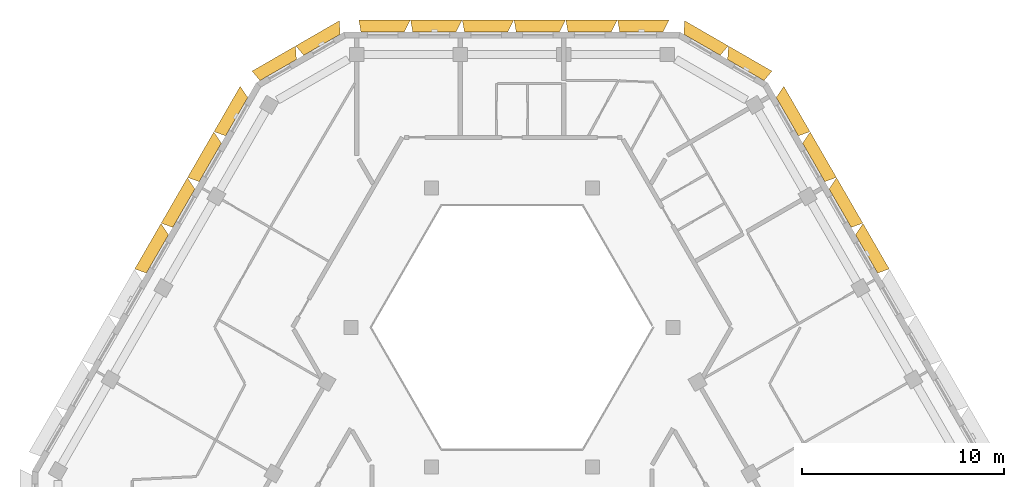
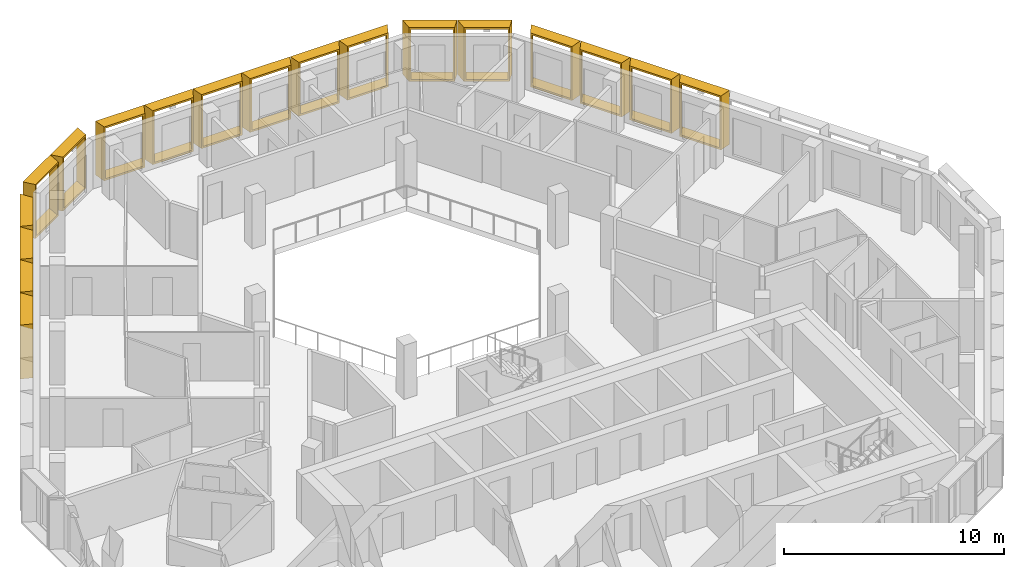
# One storey, part 16 of 16: 18 shading devices.
"""IFC4 building model written with IfcOpenShell, lengths in metres."""

from ifc_helpers import new_model, entity, si_unit, direction, frame, origin, place, context, subcontext, project, spatial, source, transform, mapped, material, type_object, type_shapes, element, save


model = new_model("IFC4")

# Units and contexts
model_context = context("Model", 3, precision=1e-05, world=origin(), true_north=direction((0.0, 1.0)))
body_context = subcontext(model_context, "Body", "Model", "MODEL_VIEW")
ifc_project = project(units=[si_unit("LENGTHUNIT", "METRE"), si_unit("AREAUNIT", "SQUARE_METRE"), si_unit("VOLUMEUNIT", "CUBIC_METRE"), si_unit("PLANEANGLEUNIT", "RADIAN"), si_unit("MASSUNIT", "GRAM", prefix="KILO")], contexts=[model_context])

# Site, building, storey
site_placement = place(None, origin())
site = spatial("IfcSite", under=ifc_project, at=site_placement, CompositionType="ELEMENT")
building_placement = place(site_placement, origin())
building = spatial("IfcBuilding", under=site, at=building_placement, Name="Beryl Residences", CompositionType="ELEMENT")
storey_placement = place(building_placement, frame((0.0, 0.0, 220.800048828125)))
storey = spatial("IfcBuildingStorey", under=building, at=storey_placement, Name="L68", CompositionType="ELEMENT", Elevation=220.800048828125)

# Shading devices
ifc_material_1 = material(Name="Aluminium pale anodised", Category="aluminium")
shading_device_type_1 = type_object("IfcShadingDeviceType", Name="FR250-60B OUTER SKIN frame 600 mm deep, splay 26/10 deg, 2500 x 3000 mm cell", PredefinedType="USERDEFINED", material=ifc_material_1)
cartesian_point_1 = entity("IfcCartesianPoint", [-1.04052734375, 0.0])
cartesian_point_2 = entity("IfcCartesianPoint", [-0.951416015625, 0.10009765625])
cartesian_point_3 = entity("IfcCartesianPoint", [-1.333251953125, 0.0])
cartesian_point_4 = entity("IfcCartesianPoint", [-1.244140625, 0.10009765625])
shared_shape_1 = source(origin(), body_context, "Body", "SweptSolid", [
    entity("IfcExtrudedAreaSolidTapered", entity("IfcArbitraryProfileDefWithVoids", "AREA", None, entity("IfcPolyline", [cartesian_point_1, entity("IfcCartesianPoint", [1.04052734375, 0.0]), entity("IfcCartesianPoint", [1.04052734375, 3.0]), entity("IfcCartesianPoint", [-1.04052734375, 3.0]), cartesian_point_1]), [entity("IfcPolyline", [cartesian_point_2, entity("IfcCartesianPoint", [0.959228515625, 0.10009765625]), entity("IfcCartesianPoint", [0.959228515625, 2.89990234375]), entity("IfcCartesianPoint", [-0.951416015625, 2.89990234375]), cartesian_point_2])]), entity("IfcAxis2Placement3D", entity("IfcCartesianPoint", [0.0, 0.0, 0.0]), entity("IfcDirection", [0.0, 1.0, 0.0]), entity("IfcDirection", [-1.0, 0.0, 0.0])), entity("IfcDirection", [0.0, 0.0, 1.0]), 0.60009765625, entity("IfcArbitraryProfileDefWithVoids", "AREA", None, entity("IfcPolyline", [cartesian_point_3, entity("IfcCartesianPoint", [1.146240234375, 0.0]), entity("IfcCartesianPoint", [1.146240234375, 3.0]), entity("IfcCartesianPoint", [-1.333251953125, 3.0]), cartesian_point_3]), [entity("IfcPolyline", [cartesian_point_4, entity("IfcCartesianPoint", [1.06494140625, 0.10009765625]), entity("IfcCartesianPoint", [1.06494140625, 2.89990234375]), entity("IfcCartesianPoint", [-1.244140625, 2.89990234375]), cartesian_point_4])])),
])
type_shapes(shading_device_type_1, [shared_shape_1])
for number, where, z_axis, x_axis, name in (
    (1, (-9.39599609375, 21.97509765625, 0.0), (0.0, 0.0, 1.0), (0.866025403784, 0.5, 0.0), "FR250-60B frame L68 N-NW 1"),
    (2, (-11.56103515625, 20.72509765625, 0.0), (0.0, 0.0, 1.0), (0.866025403784, 0.5, 0.0), "FR250-60B frame L68 N-NW 2"),
):
    element("IfcShadingDevice", number, at=place(storey_placement, frame(where, z_axis=z_axis, x_axis=x_axis)), inside=storey, type_object=shading_device_type_1, Name=name, ObjectType="OUTER SKIN", PredefinedType="USERDEFINED", context=body_context, shape_type="MappedRepresentation", body=[
        mapped(shared_shape_1, transform((0.0, 0.0, 0.0))),
    ])
ifc_material_2 = material(Name="Aluminium pale anodised", Category="aluminium")
shading_device_type_2 = type_object("IfcShadingDeviceType", Name="FR250-60C OUTER SKIN frame 600 mm deep, splay 10/26 deg, 2500 x 3000 mm cell", PredefinedType="USERDEFINED", material=ifc_material_2)
cartesian_point_5 = entity("IfcCartesianPoint", [-1.04052734375, 0.0])
cartesian_point_6 = entity("IfcCartesianPoint", [-0.959228515625, 0.10009765625])
cartesian_point_7 = entity("IfcCartesianPoint", [-1.146240234375, 0.0])
cartesian_point_8 = entity("IfcCartesianPoint", [-1.06494140625, 0.10009765625])
shared_shape_2 = source(origin(), body_context, "Body", "SweptSolid", [
    entity("IfcExtrudedAreaSolidTapered", entity("IfcArbitraryProfileDefWithVoids", "AREA", None, entity("IfcPolyline", [cartesian_point_5, entity("IfcCartesianPoint", [1.04052734375, 0.0]), entity("IfcCartesianPoint", [1.04052734375, 3.0]), entity("IfcCartesianPoint", [-1.04052734375, 3.0]), cartesian_point_5]), [entity("IfcPolyline", [cartesian_point_6, entity("IfcCartesianPoint", [0.951416015625, 0.10009765625]), entity("IfcCartesianPoint", [0.951416015625, 2.89990234375]), entity("IfcCartesianPoint", [-0.959228515625, 2.89990234375]), cartesian_point_6])]), entity("IfcAxis2Placement3D", entity("IfcCartesianPoint", [0.0, 0.0, 0.0]), entity("IfcDirection", [0.0, 1.0, 0.0]), entity("IfcDirection", [-1.0, 0.0, 0.0])), entity("IfcDirection", [0.0, 0.0, 1.0]), 0.60009765625, entity("IfcArbitraryProfileDefWithVoids", "AREA", None, entity("IfcPolyline", [cartesian_point_7, entity("IfcCartesianPoint", [1.333251953125, 0.0]), entity("IfcCartesianPoint", [1.333251953125, 3.0]), entity("IfcCartesianPoint", [-1.146240234375, 3.0]), cartesian_point_7]), [entity("IfcPolyline", [cartesian_point_8, entity("IfcCartesianPoint", [1.244140625, 0.10009765625]), entity("IfcCartesianPoint", [1.244140625, 2.89990234375]), entity("IfcCartesianPoint", [-1.06494140625, 2.89990234375]), cartesian_point_8])])),
])
type_shapes(shading_device_type_2, [shared_shape_2])
for number, where, z_axis, x_axis, name in (
    (3, (11.56103515625, 20.72509765625, 0.0), (0.0, 0.0, 1.0), (0.866025403784, -0.5, 0.0), "FR250-60C frame L68 NE-N 1"),
    (4, (9.39599609375, 21.97509765625, 0.0), (0.0, 0.0, 1.0), (0.866025403784, -0.5, 0.0), "FR250-60C frame L68 NE-N 2"),
):
    element("IfcShadingDevice", number, at=place(storey_placement, frame(where, z_axis=z_axis, x_axis=x_axis)), inside=storey, type_object=shading_device_type_2, Name=name, ObjectType="OUTER SKIN", PredefinedType="USERDEFINED", context=body_context, shape_type="MappedRepresentation", body=[
        mapped(shared_shape_2, transform((0.0, 0.0, 0.0))),
    ])
ifc_material_3 = material(Name="Aluminium pale anodised", Category="aluminium")
shading_device_type_3 = type_object("IfcShadingDeviceType", Name="FR256-60B OUTER SKIN frame 600 mm deep, splay 26/10 deg, 2560 x 3000 mm cell", PredefinedType="USERDEFINED", material=ifc_material_3)
cartesian_point_9 = entity("IfcCartesianPoint", [-1.070556640625, 0.0])
cartesian_point_10 = entity("IfcCartesianPoint", [-0.9814453125, 0.10009765625])
cartesian_point_11 = entity("IfcCartesianPoint", [-1.363037109375, 0.0])
cartesian_point_12 = entity("IfcCartesianPoint", [-1.274169921875, 0.10009765625])
shared_shape_3 = source(origin(), body_context, "Body", "SweptSolid", [
    entity("IfcExtrudedAreaSolidTapered", entity("IfcArbitraryProfileDefWithVoids", "AREA", None, entity("IfcPolyline", [cartesian_point_9, entity("IfcCartesianPoint", [1.070556640625, 0.0]), entity("IfcCartesianPoint", [1.070556640625, 3.0]), entity("IfcCartesianPoint", [-1.070556640625, 3.0]), cartesian_point_9]), [entity("IfcPolyline", [cartesian_point_10, entity("IfcCartesianPoint", [0.9892578125, 0.10009765625]), entity("IfcCartesianPoint", [0.9892578125, 2.89990234375]), entity("IfcCartesianPoint", [-0.9814453125, 2.89990234375]), cartesian_point_10])]), entity("IfcAxis2Placement3D", entity("IfcCartesianPoint", [0.0, 0.0, 0.0]), entity("IfcDirection", [0.0, 1.0, 0.0]), entity("IfcDirection", [-1.0, 0.0, 0.0])), entity("IfcDirection", [0.0, 0.0, 1.0]), 0.60009765625, entity("IfcArbitraryProfileDefWithVoids", "AREA", None, entity("IfcPolyline", [cartesian_point_11, entity("IfcCartesianPoint", [1.17626953125, 0.0]), entity("IfcCartesianPoint", [1.17626953125, 3.0]), entity("IfcCartesianPoint", [-1.363037109375, 3.0]), cartesian_point_11]), [entity("IfcPolyline", [cartesian_point_12, entity("IfcCartesianPoint", [1.094970703125, 0.10009765625]), entity("IfcCartesianPoint", [1.094970703125, 2.89990234375]), entity("IfcCartesianPoint", [-1.274169921875, 2.89990234375]), cartesian_point_12])])),
])
type_shapes(shading_device_type_3, [shared_shape_3])
for number, where, z_axis, x_axis, name in (
    (5, (6.39892578125, 22.60009765625, 0.0), (0.0, 0.0, 1.0), (1.0, 0.0, 0.0), "FR256-60B frame L68 N 1"),
    (6, (3.840087890625, 22.60009765625, 0.0), (0.0, 0.0, 1.0), (1.0, 0.0, 0.0), "FR256-60B frame L68 N 2"),
    (7, (1.280029296875, 22.60009765625, 0.0), (0.0, 0.0, 1.0), (1.0, 0.0, 0.0), "FR256-60B frame L68 N 3"),
    (8, (-1.279052734375, 22.60009765625, 0.0), (0.0, 0.0, 1.0), (1.0, 0.0, 0.0), "FR256-60B frame L68 N 4"),
    (9, (-3.839111328125, 22.60009765625, 0.0), (0.0, 0.0, 1.0), (1.0, 0.0, 0.0), "FR256-60B frame L68 N 5"),
    (10, (-6.39794921875, 22.60009765625, 0.0), (0.0, 0.0, 1.0), (1.0, 0.0, 0.0), "FR256-60B frame L68 N 6"),
):
    element("IfcShadingDevice", number, at=place(storey_placement, frame(where, z_axis=z_axis, x_axis=x_axis)), inside=storey, type_object=shading_device_type_3, Name=name, ObjectType="OUTER SKIN", PredefinedType="USERDEFINED", context=body_context, shape_type="MappedRepresentation", body=[
        mapped(shared_shape_3, transform((0.0, 0.0, 0.0))),
    ])
ifc_material_4 = material(Name="Aluminium pale anodised", Category="aluminium")
shading_device_type_4 = type_object("IfcShadingDeviceType", Name="FR261-60B OUTER SKIN frame 600 mm deep, splay 26/10 deg, 2610 x 3000 mm cell", PredefinedType="USERDEFINED", material=ifc_material_4)
cartesian_point_13 = entity("IfcCartesianPoint", [-1.095458984375, 0.0])
cartesian_point_14 = entity("IfcCartesianPoint", [-1.006591796875, 0.10009765625])
cartesian_point_15 = entity("IfcCartesianPoint", [-1.38818359375, 0.0])
cartesian_point_16 = entity("IfcCartesianPoint", [-1.299072265625, 0.10009765625])
shared_shape_4 = source(origin(), body_context, "Body", "SweptSolid", [
    entity("IfcExtrudedAreaSolidTapered", entity("IfcArbitraryProfileDefWithVoids", "AREA", None, entity("IfcPolyline", [cartesian_point_13, entity("IfcCartesianPoint", [1.095458984375, 0.0]), entity("IfcCartesianPoint", [1.095458984375, 3.0]), entity("IfcCartesianPoint", [-1.095458984375, 3.0]), cartesian_point_13]), [entity("IfcPolyline", [cartesian_point_14, entity("IfcCartesianPoint", [1.01416015625, 0.10009765625]), entity("IfcCartesianPoint", [1.01416015625, 2.89990234375]), entity("IfcCartesianPoint", [-1.006591796875, 2.89990234375]), cartesian_point_14])]), entity("IfcAxis2Placement3D", entity("IfcCartesianPoint", [0.0, 0.0, 0.0]), entity("IfcDirection", [0.0, 1.0, 0.0]), entity("IfcDirection", [-1.0, 0.0, 0.0])), entity("IfcDirection", [0.0, 0.0, 1.0]), 0.60009765625, entity("IfcArbitraryProfileDefWithVoids", "AREA", None, entity("IfcPolyline", [cartesian_point_15, entity("IfcCartesianPoint", [1.201416015625, 0.0]), entity("IfcCartesianPoint", [1.201416015625, 3.0]), entity("IfcCartesianPoint", [-1.38818359375, 3.0]), cartesian_point_15]), [entity("IfcPolyline", [cartesian_point_16, entity("IfcCartesianPoint", [1.1201171875, 0.10009765625]), entity("IfcCartesianPoint", [1.1201171875, 2.89990234375]), entity("IfcCartesianPoint", [-1.299072265625, 2.89990234375]), cartesian_point_16])])),
])
type_shapes(shading_device_type_4, [shared_shape_4])
for number, where, z_axis, x_axis, name in (
    (11, (-13.614013671875, 18.4189453125, 0.0), (0.0, 0.0, 1.0), (0.5, 0.866025403784, 0.0), "FR261-60B frame L68 NW 1"),
    (12, (-14.9208984375, 16.156005859375, 0.0), (0.0, 0.0, 1.0), (0.5, 0.866025403784, 0.0), "FR261-60B frame L68 NW 2"),
    (13, (-16.22705078125, 13.89404296875, 0.0), (0.0, 0.0, 1.0), (0.5, 0.866025403784, 0.0), "FR261-60B frame L68 NW 3"),
    (14, (-17.532958984375, 11.631103515625, 0.0), (0.0, 0.0, 1.0), (0.5, 0.866025403784, 0.0), "FR261-60B frame L68 NW 4"),
):
    element("IfcShadingDevice", number, at=place(storey_placement, frame(where, z_axis=z_axis, x_axis=x_axis)), inside=storey, type_object=shading_device_type_4, Name=name, ObjectType="OUTER SKIN", PredefinedType="USERDEFINED", context=body_context, shape_type="MappedRepresentation", body=[
        mapped(shared_shape_4, transform((0.0, 0.0, 0.0))),
    ])
ifc_material_5 = material(Name="Aluminium pale anodised", Category="aluminium")
shading_device_type_5 = type_object("IfcShadingDeviceType", Name="FR261-60C OUTER SKIN frame 600 mm deep, splay 10/26 deg, 2610 x 3000 mm cell", PredefinedType="USERDEFINED", material=ifc_material_5)
cartesian_point_17 = entity("IfcCartesianPoint", [-1.095458984375, 0.0])
cartesian_point_18 = entity("IfcCartesianPoint", [-1.01416015625, 0.10009765625])
cartesian_point_19 = entity("IfcCartesianPoint", [-1.201416015625, 0.0])
cartesian_point_20 = entity("IfcCartesianPoint", [-1.1201171875, 0.10009765625])
shared_shape_5 = source(origin(), body_context, "Body", "SweptSolid", [
    entity("IfcExtrudedAreaSolidTapered", entity("IfcArbitraryProfileDefWithVoids", "AREA", None, entity("IfcPolyline", [cartesian_point_17, entity("IfcCartesianPoint", [1.095458984375, 0.0]), entity("IfcCartesianPoint", [1.095458984375, 3.0]), entity("IfcCartesianPoint", [-1.095458984375, 3.0]), cartesian_point_17]), [entity("IfcPolyline", [cartesian_point_18, entity("IfcCartesianPoint", [1.006591796875, 0.10009765625]), entity("IfcCartesianPoint", [1.006591796875, 2.89990234375]), entity("IfcCartesianPoint", [-1.01416015625, 2.89990234375]), cartesian_point_18])]), entity("IfcAxis2Placement3D", entity("IfcCartesianPoint", [0.0, 0.0, 0.0]), entity("IfcDirection", [0.0, 1.0, 0.0]), entity("IfcDirection", [-1.0, 0.0, 0.0])), entity("IfcDirection", [0.0, 0.0, 1.0]), 0.60009765625, entity("IfcArbitraryProfileDefWithVoids", "AREA", None, entity("IfcPolyline", [cartesian_point_19, entity("IfcCartesianPoint", [1.38818359375, 0.0]), entity("IfcCartesianPoint", [1.38818359375, 3.0]), entity("IfcCartesianPoint", [-1.201416015625, 3.0]), cartesian_point_19]), [entity("IfcPolyline", [cartesian_point_20, entity("IfcCartesianPoint", [1.299072265625, 0.10009765625]), entity("IfcCartesianPoint", [1.299072265625, 2.89990234375]), entity("IfcCartesianPoint", [-1.1201171875, 2.89990234375]), cartesian_point_20])])),
])
type_shapes(shading_device_type_5, [shared_shape_5])
for number, where, z_axis, x_axis, name in (
    (15, (17.532958984375, 11.631103515625, 0.0), (0.0, 0.0, 1.0), (0.5, -0.866025403784, 0.0), "FR261-60C frame L68 NE 5"),
    (16, (16.22705078125, 13.89404296875, 0.0), (0.0, 0.0, 1.0), (0.5, -0.866025403784, 0.0), "FR261-60C frame L68 NE 6"),
    (17, (14.9208984375, 16.156005859375, 0.0), (0.0, 0.0, 1.0), (0.5, -0.866025403784, 0.0), "FR261-60C frame L68 NE 7"),
    (18, (13.614013671875, 18.4189453125, 0.0), (0.0, 0.0, 1.0), (0.5, -0.866025403784, 0.0), "FR261-60C frame L68 NE 8"),
):
    element("IfcShadingDevice", number, at=place(storey_placement, frame(where, z_axis=z_axis, x_axis=x_axis)), inside=storey, type_object=shading_device_type_5, Name=name, ObjectType="OUTER SKIN", PredefinedType="USERDEFINED", context=body_context, shape_type="MappedRepresentation", body=[
        mapped(shared_shape_5, transform((0.0, 0.0, 0.0))),
    ])

save(model, "model.ifc")
